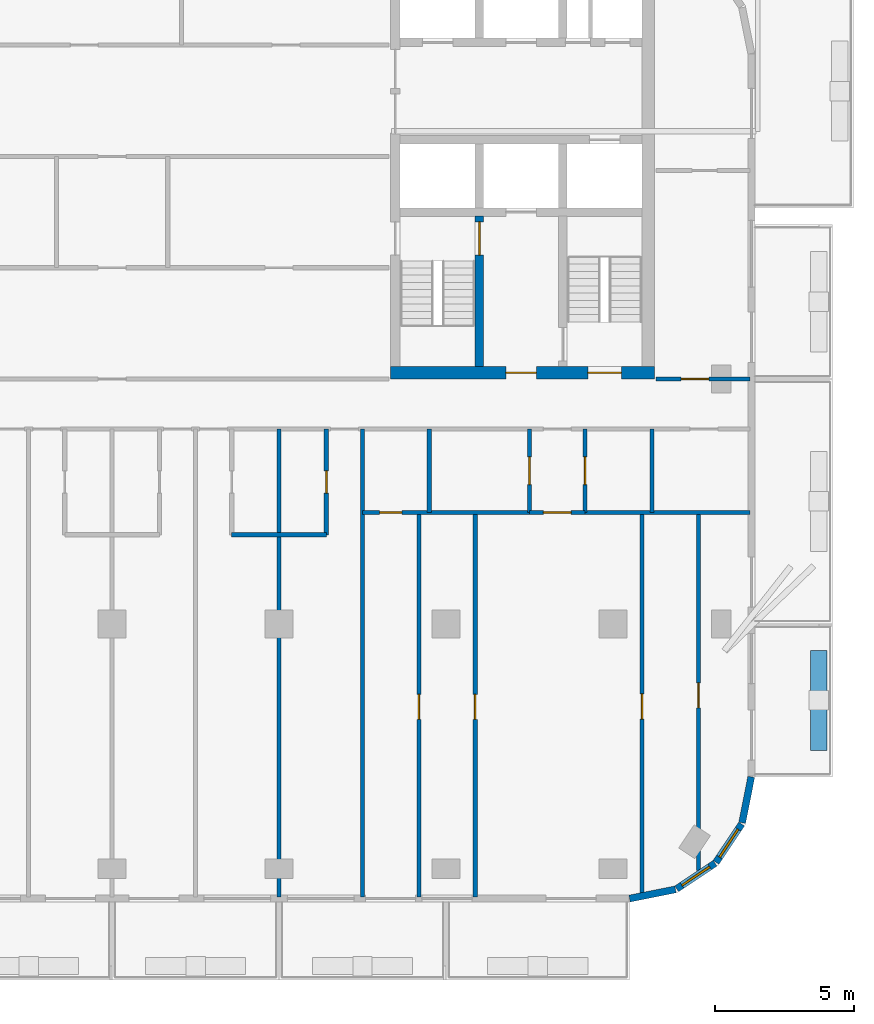
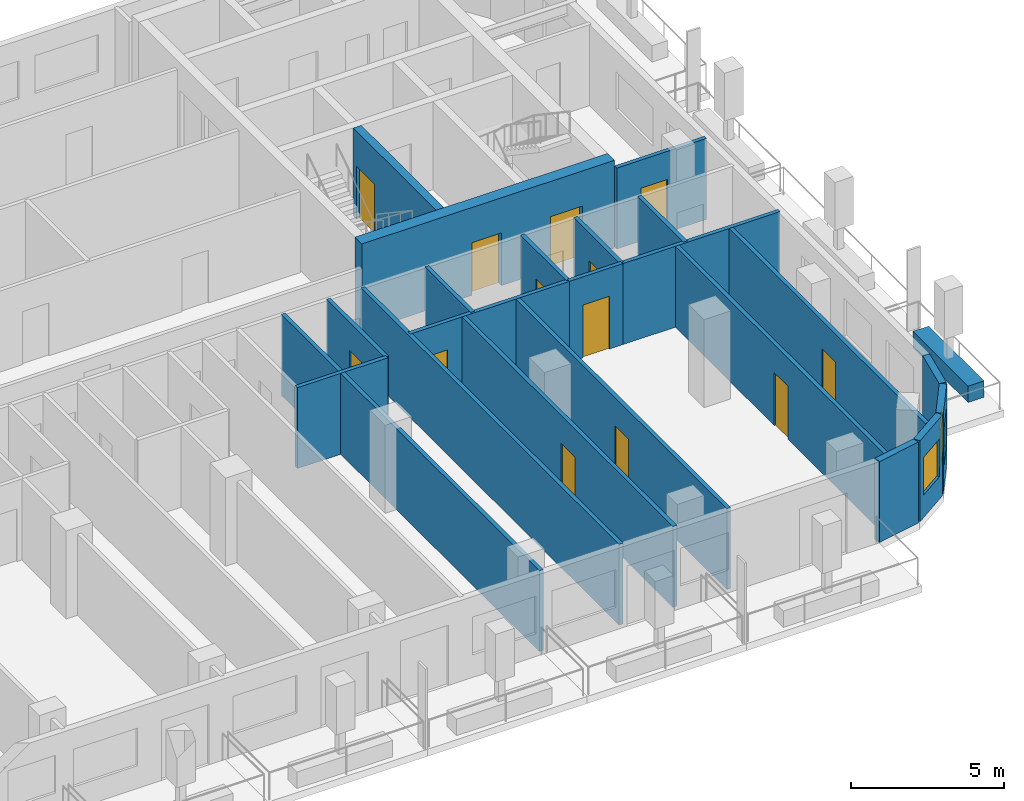
# One storey, part 5 of 11: 23 walls, 13 doors, 2 windows, 15 openings.
"""IFC4 building model written with IfcOpenShell, lengths in metres."""

from ifc_helpers import new_model, si_unit, direction, frame, frame_2d, origin, place, context, subcontext, project, spatial, rectangle, extrude, material, layer, layer_set, type_object, element, fill, save


model = new_model("IFC4")

# Units and contexts
model_context = context("Model", 3, precision=1e-05, world=origin(), true_north=direction((0.0, 1.0)))
body_context = subcontext(model_context, "Body", "Model", "MODEL_VIEW")
ifc_project = project(units=[si_unit("LENGTHUNIT", "METRE"), si_unit("AREAUNIT", "SQUARE_METRE"), si_unit("VOLUMEUNIT", "CUBIC_METRE"), si_unit("PLANEANGLEUNIT", "RADIAN"), si_unit("MASSUNIT", "GRAM", prefix="KILO")], contexts=[model_context])

# Site, building, storey
site_placement = place(None, origin())
site = spatial("IfcSite", under=ifc_project, at=site_placement, CompositionType="ELEMENT")
building_placement = place(site_placement, origin())
building = spatial("IfcBuilding", under=site, at=building_placement, Name="Torana Hotel and Residences", CompositionType="ELEMENT")
storey_placement = place(building_placement, frame((0.0, 0.0, 252.60009765625)))
storey = spatial("IfcBuildingStorey", under=building, at=storey_placement, Name="L66", CompositionType="ELEMENT", Elevation=252.60009765625)

# Wall, opening, door
ifc_material_1 = material(Name="Concrete C60/75", Category="concrete")
ifc_layer_1 = layer(ifc_material_1, 0.300048828125)
ifc_layer_set_1 = layer_set([ifc_layer_1], Name="CORE WALL 300 C60/75")
wall_type_1 = type_object("IfcWallType", Name="CORE WALL 300 C60/75", PredefinedType="SHEAR", material=ifc_layer_set_1)
wall_1_placement = place(storey_placement, frame((13.199951171875, -14.550048828125, 0.0), z_axis=(0.0, 0.0, 1.0), x_axis=(0.0, 1.0, 0.0)))
wall_1 = element("IfcWall", 1, at=wall_1_placement, inside=storey, type_object=wall_type_1, Name="Core wall E x3.05-band", PredefinedType="SHEAR", context=body_context, shape_type="SweptSolid", body=[
    extrude(rectangle(XDim=5.400146484375, YDim=0.300048828125, at=frame_2d((2.7001953125, 0.0))), origin(), (0.0, 0.0, 1.0), 3.5),
])
opening_1_placement = place(wall_1_placement, frame((4.0, 0.0, 0.0)))
opening_1 = element("IfcOpeningElement", 2, at=opening_1_placement, cuts=wall_1, Name="Opening L66-17", PredefinedType="OPENING", context=body_context, shape_type="SweptSolid", body=[
    extrude(rectangle(XDim=1.199951171875, YDim=2.10009765625, at=frame_2d((0.60009765625, 1.050048828125))), frame((0.0, 0.159912109375, 0.0), z_axis=(0.0, -1.0, 0.0), x_axis=(1.0, 0.0, 0.0)), (0.0, 0.0, 1.0), 0.320068359375),
])
ifc_material_2 = material(Name="Steel S235", Category="steel")
door_type_1 = type_object("IfcDoorType", Name="STAIR FIRE DOOR D3 1200x2100", OperationType="SINGLE_SWING_LEFT", PredefinedType="DOOR", material=ifc_material_2)
door_1_placement = place(opening_1_placement, origin())
door_1 = element("IfcDoor", 3, at=door_1_placement, inside=storey, type_object=door_type_1, Name="Stair-A-lobby door L66", OperationType="SINGLE_SWING_LEFT", OverallHeight=2.10009765625, OverallWidth=1.199951171875, PredefinedType="DOOR", context=body_context, shape_type="SweptSolid", body=[
    extrude(rectangle(XDim=1.199951171875, YDim=2.10009765625, at=frame_2d((0.60009765625, 1.050048828125))), frame((0.0, 0.02490234375, 0.0), z_axis=(0.0, -1.0, 0.0), x_axis=(1.0, 0.0, 0.0)), (0.0, 0.0, 1.0), 0.050048828125),
])
fill(opening_1, door_1)

# Wall, openings, doors
ifc_material_3 = material(Name="Concrete C60/75", Category="concrete")
ifc_layer_2 = layer(ifc_material_3, 0.449951171875)
ifc_layer_set_2 = layer_set([ifc_layer_2], Name="CORE WALL 450 C60/75")
wall_type_2 = type_object("IfcWallType", Name="CORE WALL 450 C60/75", PredefinedType="SHEAR", material=ifc_layer_set_2)
wall_2_placement = place(storey_placement, frame((10.0, -14.77490234375, 0.0), z_axis=(0.0, 0.0, 1.0), x_axis=(1.0, 0.0, 0.0)))
wall_2 = element("IfcWall", 4, at=wall_2_placement, inside=storey, type_object=wall_type_2, Name="Core wall E front", PredefinedType="SHEAR", context=body_context, shape_type="SweptSolid", body=[
    extrude(rectangle(XDim=9.5, YDim=0.449951171875, at=frame_2d((4.75, 0.0))), origin(), (0.0, 0.0, 1.0), 3.5),
])
opening_2_placement = place(wall_2_placement, frame((7.10009765625, 0.0, 0.0)))
opening_2 = element("IfcOpeningElement", 5, at=opening_2_placement, cuts=wall_2, Name="Opening L66-13", PredefinedType="OPENING", context=body_context, shape_type="SweptSolid", body=[
    extrude(rectangle(XDim=1.199951171875, YDim=2.10009765625, at=frame_2d((0.60009765625, 1.050048828125))), frame((0.0, 0.23486328125, 0.0), z_axis=(0.0, -1.0, 0.0), x_axis=(1.0, 0.0, 0.0)), (0.0, 0.0, 1.0), 0.469970703125),
])
opening_3_placement = place(wall_2_placement, frame((4.14990234375, 0.0, 0.0)))
opening_3 = element("IfcOpeningElement", 6, at=opening_3_placement, cuts=wall_2, Name="Opening L66-14", PredefinedType="OPENING", context=body_context, shape_type="SweptSolid", body=[
    extrude(rectangle(XDim=1.10009765625, YDim=2.10009765625, at=frame_2d((0.550048828125, 1.050048828125))), frame((0.0, 0.23486328125, 0.0), z_axis=(0.0, -1.0, 0.0), x_axis=(1.0, 0.0, 0.0)), (0.0, 0.0, 1.0), 0.469970703125),
])
ifc_material_4 = material(Name="Steel S235", Category="steel")
door_type_2 = type_object("IfcDoorType", Name="FIRE-FIGHTING LOBBY DOOR D8 1100x2100", OperationType="SINGLE_SWING_LEFT", PredefinedType="DOOR", material=ifc_material_4)
door_2_placement = place(opening_3_placement, origin())
door_2 = element("IfcDoor", 7, at=door_2_placement, inside=storey, type_object=door_type_2, Name="FF-lobby door L66", OperationType="SINGLE_SWING_RIGHT", OverallHeight=2.10009765625, OverallWidth=1.10009765625, PredefinedType="DOOR", context=body_context, shape_type="SweptSolid", body=[
    extrude(rectangle(XDim=1.10009765625, YDim=2.10009765625, at=frame_2d((0.550048828125, 1.050048828125))), frame((0.0, 0.02490234375, 0.0), z_axis=(0.0, -1.0, 0.0), x_axis=(1.0, 0.0, 0.0)), (0.0, 0.0, 1.0), 0.050048828125),
])
fill(opening_3, door_2)
door_3_placement = place(opening_2_placement, origin())
door_3 = element("IfcDoor", 8, at=door_3_placement, inside=storey, type_object=door_type_1, Name="Stair-B door L66", OperationType="SINGLE_SWING_RIGHT", OverallHeight=2.10009765625, OverallWidth=1.199951171875, PredefinedType="DOOR", context=body_context, shape_type="SweptSolid", body=[
    extrude(rectangle(XDim=1.199951171875, YDim=2.10009765625, at=frame_2d((0.60009765625, 1.050048828125))), frame((0.0, 0.02490234375, 0.0), z_axis=(0.0, -1.0, 0.0), x_axis=(1.0, 0.0, 0.0)), (0.0, 0.0, 1.0), 0.050048828125),
])
fill(opening_2, door_3)

# Wall
ifc_material_5 = material(Name="Black aluminium composite panel", Category="aluminium")
ifc_layer_3 = layer(ifc_material_5, 0.00390625, Name="Cladding", Category="cladding")
ifc_material_6 = material(Name="Ventilated air cavity")
ifc_layer_4 = layer(ifc_material_6, 0.0400390625, Name="Ventilated cavity", Category="cavity")
ifc_material_7 = material(Name="Mineral wool insulation")
ifc_layer_5 = layer(ifc_material_7, 0.090087890625, Name="Insulation", Category="insulation")
ifc_material_8 = material(Name="Steel S280GD", Category="steel")
ifc_layer_6 = layer(ifc_material_8, 0.092041015625, Name="Steel stud frame", Category="structure")
ifc_material_9 = material(Name="Fire rated plasterboard")
ifc_layer_7 = layer(ifc_material_9, 0.011962890625, Name="Inner board", Category="finish")
ifc_layer_8 = layer(ifc_material_9, 0.011962890625, Name="Second board", Category="finish")
ifc_layer_set_3 = layer_set([ifc_layer_3, ifc_layer_4, ifc_layer_5, ifc_layer_6, ifc_layer_7, ifc_layer_8], Name="EW1 EXTERNAL WALL BLACK METAL CLAD 250")
wall_type_3 = type_object("IfcWallType", Name="EW1 EXTERNAL WALL BLACK METAL CLAD 250", PredefinedType="SOLIDWALL", material=ifc_layer_set_3)
wall_3_placement = place(storey_placement, frame((18.599853515625, -33.672607421875, 0.0), z_axis=(0.0, 0.0, 1.0), x_axis=(0.980770110232, 0.195166572128, 0.0)))
element("IfcWall", 9, at=wall_3_placement, inside=storey, type_object=wall_type_3, Name="External wall L66 e0.15", PredefinedType="SOLIDWALL", context=body_context, shape_type="SweptSolid", body=[
    extrude(rectangle(XDim=1.68115234375, YDim=0.25, at=frame_2d((0.840576171875, 0.0))), origin(), (0.0, 0.0, 1.0), 3.219970703125),
])

# Wall, opening, window
wall_4_placement = place(storey_placement, frame((20.2939453125, -33.325927734375, 0.0), z_axis=(0.0, 0.0, 1.0), x_axis=(0.831482937015, 0.55555029066, 0.0)))
wall_4 = element("IfcWall", 10, at=wall_4_placement, inside=storey, type_object=wall_type_3, Name="External wall L66 e0.16", PredefinedType="SOLIDWALL", context=body_context, shape_type="SweptSolid", body=[
    extrude(rectangle(XDim=1.65625, YDim=0.25, at=frame_2d((0.828125, 0.0))), origin(), (0.0, 0.0, 1.0), 3.219970703125),
])
opening_4_placement = place(wall_4_placement, frame((0.228271484375, 0.0, 0.89990234375)))
opening_4 = element("IfcOpeningElement", 11, at=opening_4_placement, cuts=wall_4, Name="Opening W5", PredefinedType="OPENING", context=body_context, shape_type="SweptSolid", body=[
    extrude(rectangle(XDim=1.199951171875, YDim=1.5, at=frame_2d((0.60009765625, 0.75))), frame((0.0, 0.135009765625, 0.0), z_axis=(0.0, -1.0, 0.0), x_axis=(1.0, 0.0, 0.0)), (0.0, 0.0, 1.0), 0.27001953125),
])
ifc_material_10 = material(Name="Dark glass in black aluminium frame", Category="aluminium")
window_type = type_object("IfcWindowType", Name="W5 CORNER FACET WINDOW 1200x1500", PartitioningType="SINGLE_PANEL", PredefinedType="WINDOW", material=ifc_material_10)
window_1_placement = place(opening_4_placement, origin())
window_1 = element("IfcWindow", 12, at=window_1_placement, inside=storey, type_object=window_type, Name="Window L66 e0.16", OverallHeight=1.5, OverallWidth=1.199951171875, PartitioningType="SINGLE_PANEL", PredefinedType="WINDOW", context=body_context, shape_type="SweptSolid", body=[
    extrude(rectangle(XDim=1.199951171875, YDim=1.5, at=frame_2d((0.60009765625, 0.75))), frame((0.0, 0.030029296875, 0.0), z_axis=(0.0, -1.0, 0.0), x_axis=(1.0, 0.0, 0.0)), (0.0, 0.0, 1.0), 0.06005859375),
])
fill(opening_4, window_1)

wall_5_placement = place(storey_placement, frame((21.705810546875, -32.37109375, 0.0), z_axis=(0.0, 0.0, 1.0), x_axis=(0.55555029066, 0.831482937015, 0.0)))
wall_5 = element("IfcWall", 13, at=wall_5_placement, inside=storey, type_object=wall_type_3, Name="External wall L66 e0.17", PredefinedType="SOLIDWALL", context=body_context, shape_type="SweptSolid", body=[
    extrude(rectangle(XDim=1.65625, YDim=0.25, at=frame_2d((0.828125, 0.0))), origin(), (0.0, 0.0, 1.0), 3.219970703125),
])
opening_5_placement = place(wall_5_placement, frame((0.228271484375, 0.0, 0.89990234375)))
opening_5 = element("IfcOpeningElement", 14, at=opening_5_placement, cuts=wall_5, Name="Opening W5", PredefinedType="OPENING", context=body_context, shape_type="SweptSolid", body=[
    extrude(rectangle(XDim=1.199951171875, YDim=1.5, at=frame_2d((0.60009765625, 0.75))), frame((0.0, 0.135009765625, 0.0), z_axis=(0.0, -1.0, 0.0), x_axis=(1.0, 0.0, 0.0)), (0.0, 0.0, 1.0), 0.27001953125),
])
window_2_placement = place(opening_5_placement, origin())
window_2 = element("IfcWindow", 15, at=window_2_placement, inside=storey, type_object=window_type, Name="Window L66 e0.17", OverallHeight=1.5, OverallWidth=1.199951171875, PartitioningType="SINGLE_PANEL", PredefinedType="WINDOW", context=body_context, shape_type="SweptSolid", body=[
    extrude(rectangle(XDim=1.199951171875, YDim=1.5, at=frame_2d((0.60009765625, 0.75))), frame((0.0, 0.030029296875, 0.0), z_axis=(0.0, -1.0, 0.0), x_axis=(1.0, 0.0, 0.0)), (0.0, 0.0, 1.0), 0.06005859375),
])
fill(opening_5, window_2)

# Wall
wall_6_placement = place(storey_placement, frame((22.64453125, -30.948974609375, 0.0), z_axis=(0.0, 0.0, 1.0), x_axis=(0.19513878023, 0.980775640221, 0.0)))
element("IfcWall", 16, at=wall_6_placement, inside=storey, type_object=wall_type_3, Name="External wall L66 e0.18", PredefinedType="SOLIDWALL", context=body_context, shape_type="SweptSolid", body=[
    extrude(rectangle(XDim=1.681396484375, YDim=0.25, at=frame_2d((0.8408203125, 0.0))), origin(), (0.0, 0.0, 1.0), 3.219970703125),
])

# Wall, opening, door
ifc_material_11 = material(Name="Gypsum plaster")
ifc_layer_9 = layer(ifc_material_11, 0.014892578125, Name="Plaster", Category="finish")
ifc_material_12 = material(Name="Concrete blockwork", Category="masonry")
ifc_layer_10 = layer(ifc_material_12, 0.1201171875, Name="Blockwork", Category="structure")
ifc_layer_11 = layer(ifc_material_11, 0.014892578125, Name="Plaster", Category="finish")
ifc_layer_set_4 = layer_set([ifc_layer_9, ifc_layer_10, ifc_layer_11], Name="FIRE PARTITION 150 BLOCKWORK")
wall_type_4 = type_object("IfcWallType", Name="FIRE PARTITION 150 BLOCKWORK", PredefinedType="PARTITIONING", material=ifc_layer_set_4)
wall_7_placement = place(storey_placement, frame((17.0, -19.800048828125, 0.0), z_axis=(0.0, 0.0, 1.0), x_axis=(0.0, 1.0, 0.0)))
wall_7 = element("IfcWall", 17, at=wall_7_placement, inside=storey, type_object=wall_type_4, Name="Partition L66", PredefinedType="PARTITIONING", context=body_context, shape_type="SweptSolid", body=[
    extrude(rectangle(XDim=3.0, YDim=0.14990234375, at=frame_2d((1.5, 0.0))), origin(), (0.0, 0.0, 1.0), 3.219970703125),
])
opening_6_placement = place(wall_7_placement, frame((1.0, 0.0, 0.0)))
opening_6 = element("IfcOpeningElement", 18, at=opening_6_placement, cuts=wall_7, Name="Opening L66-55", PredefinedType="OPENING", context=body_context, shape_type="SweptSolid", body=[
    extrude(rectangle(XDim=1.0, YDim=2.10009765625, at=frame_2d((0.5, 1.050048828125))), frame((0.0, 0.0849609375, 0.0), z_axis=(0.0, -1.0, 0.0), x_axis=(1.0, 0.0, 0.0)), (0.0, 0.0, 1.0), 0.169921875),
])
ifc_material_13 = material(Name="Steel S235", Category="steel")
door_type_3 = type_object("IfcDoorType", Name="ENTRY FIRE DOOR D6 1000x2100", OperationType="SINGLE_SWING_LEFT", PredefinedType="DOOR", material=ifc_material_13)
door_4_placement = place(opening_6_placement, frame((0.5, 0.0, 0.0), z_axis=(0.0, 0.0, 1.0), x_axis=(-1.0, 0.0, 0.0)))
door_4 = element("IfcDoor", 19, at=door_4_placement, inside=storey, type_object=door_type_3, Name="Door L66", OperationType="SINGLE_SWING_LEFT", OverallHeight=2.10009765625, OverallWidth=1.0, PredefinedType="DOOR", context=body_context, shape_type="SweptSolid", body=[
    extrude(rectangle(XDim=1.0, YDim=2.10009765625, at=frame_2d((0.0, 1.050048828125))), frame((0.0, -0.02490234375, 0.0), z_axis=(0.0, 1.0, 0.0), x_axis=(-1.0, 0.0, 0.0)), (0.0, 0.0, 1.0), 0.050048828125),
])
fill(opening_6, door_4)

wall_8_placement = place(storey_placement, frame((15.0, -19.800048828125, 0.0), z_axis=(0.0, 0.0, 1.0), x_axis=(0.0, 1.0, 0.0)))
wall_8 = element("IfcWall", 20, at=wall_8_placement, inside=storey, type_object=wall_type_4, Name="Partition L66", PredefinedType="PARTITIONING", context=body_context, shape_type="SweptSolid", body=[
    extrude(rectangle(XDim=3.0, YDim=0.14990234375, at=frame_2d((1.5, 0.0))), origin(), (0.0, 0.0, 1.0), 3.219970703125),
])
opening_7_placement = place(wall_8_placement, frame((1.0, 0.0, 0.0)))
opening_7 = element("IfcOpeningElement", 21, at=opening_7_placement, cuts=wall_8, Name="Opening L66-54", PredefinedType="OPENING", context=body_context, shape_type="SweptSolid", body=[
    extrude(rectangle(XDim=1.0, YDim=2.10009765625, at=frame_2d((0.5, 1.050048828125))), frame((0.0, 0.0849609375, 0.0), z_axis=(0.0, -1.0, 0.0), x_axis=(1.0, 0.0, 0.0)), (0.0, 0.0, 1.0), 0.169921875),
])
door_5_placement = place(opening_7_placement, origin())
door_5 = element("IfcDoor", 22, at=door_5_placement, inside=storey, type_object=door_type_3, Name="Door L66", OperationType="SINGLE_SWING_RIGHT", OverallHeight=2.10009765625, OverallWidth=1.0, PredefinedType="DOOR", context=body_context, shape_type="SweptSolid", body=[
    extrude(rectangle(XDim=1.0, YDim=2.10009765625, at=frame_2d((0.5, 1.050048828125))), frame((0.0, 0.02490234375, 0.0), z_axis=(0.0, -1.0, 0.0), x_axis=(1.0, 0.0, 0.0)), (0.0, 0.0, 1.0), 0.050048828125),
])
fill(opening_7, door_5)

wall_9_placement = place(storey_placement, frame((15.0, -19.800048828125, 0.0), z_axis=(0.0, 0.0, 1.0), x_axis=(1.0, 0.0, 0.0)))
wall_9 = element("IfcWall", 23, at=wall_9_placement, inside=storey, type_object=wall_type_4, Name="Partition L66", PredefinedType="PARTITIONING", context=body_context, shape_type="SweptSolid", body=[
    extrude(rectangle(XDim=2.0, YDim=0.14990234375, at=frame_2d((1.0, 0.0))), origin(), (0.0, 0.0, 1.0), 3.219970703125),
])
opening_8_placement = place(wall_9_placement, frame((0.5, 0.0, 0.0)))
opening_8 = element("IfcOpeningElement", 24, at=opening_8_placement, cuts=wall_9, Name="Opening L66-56", PredefinedType="OPENING", context=body_context, shape_type="SweptSolid", body=[
    extrude(rectangle(XDim=1.0, YDim=2.10009765625, at=frame_2d((0.5, 1.050048828125))), frame((0.0, 0.0849609375, 0.0), z_axis=(0.0, -1.0, 0.0), x_axis=(1.0, 0.0, 0.0)), (0.0, 0.0, 1.0), 0.169921875),
])
door_6_placement = place(opening_8_placement, frame((0.5, 0.0, 0.0), z_axis=(0.0, 0.0, 1.0), x_axis=(-1.0, 0.0, 0.0)))
door_6 = element("IfcDoor", 25, at=door_6_placement, inside=storey, type_object=door_type_3, Name="Door L66", OperationType="SINGLE_SWING_LEFT", OverallHeight=2.10009765625, OverallWidth=1.0, PredefinedType="DOOR", context=body_context, shape_type="SweptSolid", body=[
    extrude(rectangle(XDim=1.0, YDim=2.10009765625, at=frame_2d((0.0, 1.050048828125))), frame((0.0, -0.02490234375, 0.0), z_axis=(0.0, 1.0, 0.0), x_axis=(-1.0, 0.0, 0.0)), (0.0, 0.0, 1.0), 0.050048828125),
])
fill(opening_8, door_6)

wall_10_placement = place(storey_placement, frame((19.550048828125, -15.0, 0.0), z_axis=(0.0, 0.0, 1.0), x_axis=(1.0, 0.0, 0.0)))
wall_10 = element("IfcWall", 26, at=wall_10_placement, inside=storey, type_object=wall_type_4, Name="Partition L66", PredefinedType="PARTITIONING", context=body_context, shape_type="SweptSolid", body=[
    extrude(rectangle(XDim=3.369873046875, YDim=0.14990234375, at=frame_2d((1.68505859375, 0.0))), origin(), (0.0, 0.0, 1.0), 3.219970703125),
])
opening_9_placement = place(wall_10_placement, frame((0.89990234375, 0.0, 0.0)))
opening_9 = element("IfcOpeningElement", 27, at=opening_9_placement, cuts=wall_10, Name="Opening L66-30", PredefinedType="OPENING", context=body_context, shape_type="SweptSolid", body=[
    extrude(rectangle(XDim=1.0, YDim=2.10009765625, at=frame_2d((0.5, 1.050048828125))), frame((0.0, 0.0849609375, 0.0), z_axis=(0.0, -1.0, 0.0), x_axis=(1.0, 0.0, 0.0)), (0.0, 0.0, 1.0), 0.169921875),
])
ifc_material_14 = material(Name="Steel S235", Category="steel")
door_type_4 = type_object("IfcDoorType", Name="CORE ROOM FIRE DOOR D14 1000x2100", OperationType="SINGLE_SWING_LEFT", PredefinedType="DOOR", material=ifc_material_14)
door_7_placement = place(opening_9_placement, origin())
door_7 = element("IfcDoor", 28, at=door_7_placement, inside=storey, type_object=door_type_4, Name="Door L66", OperationType="SINGLE_SWING_LEFT", OverallHeight=2.10009765625, OverallWidth=1.0, PredefinedType="DOOR", context=body_context, shape_type="SweptSolid", body=[
    extrude(rectangle(XDim=1.0, YDim=2.10009765625, at=frame_2d((0.5, 1.050048828125))), frame((0.0, 0.02490234375, 0.0), z_axis=(0.0, -1.0, 0.0), x_axis=(1.0, 0.0, 0.0)), (0.0, 0.0, 1.0), 0.050048828125),
])
fill(opening_9, door_7)

ifc_material_15 = material(Name="Gypsum plasterboard")
ifc_layer_12 = layer(ifc_material_15, 0.012451171875, Name="Plasterboard", Category="finish")
ifc_layer_13 = layer(ifc_material_15, 0.012451171875, Name="Plasterboard", Category="finish")
ifc_layer_14 = layer(ifc_material_8, 0.10009765625, Name="Steel studs with mineral wool", Category="insulation")
ifc_layer_15 = layer(ifc_material_15, 0.012451171875, Name="Plasterboard", Category="finish")
ifc_layer_16 = layer(ifc_material_15, 0.012451171875, Name="Plasterboard", Category="finish")
ifc_layer_set_5 = layer_set([ifc_layer_12, ifc_layer_13, ifc_layer_14, ifc_layer_15, ifc_layer_16], Name="PARTITION 150 PLASTERBOARD")
wall_type_5 = type_object("IfcWallType", Name="PARTITION 150 PLASTERBOARD", PredefinedType="PARTITIONING", material=ifc_layer_set_5)
wall_11_placement = place(storey_placement, frame((21.074951171875, -32.665771484375, 0.0), z_axis=(0.0, 0.0, 1.0), x_axis=(0.0, 1.0, 0.0)))
wall_11 = element("IfcWall", 29, at=wall_11_placement, inside=storey, type_object=wall_type_5, Name="Partition L66", PredefinedType="PARTITIONING", context=body_context, shape_type="SweptSolid", body=[
    extrude(rectangle(XDim=12.86572265625, YDim=0.14990234375, at=frame_2d((6.432861328125, 0.0))), origin(), (0.0, 0.0, 1.0), 3.219970703125),
])
opening_10_placement = place(wall_11_placement, frame((5.845703125, 0.0, 0.0)))
opening_10 = element("IfcOpeningElement", 30, at=opening_10_placement, cuts=wall_11, Name="Opening L66-60", PredefinedType="OPENING", context=body_context, shape_type="SweptSolid", body=[
    extrude(rectangle(XDim=0.89990234375, YDim=2.10009765625, at=frame_2d((0.449951171875, 1.050048828125))), frame((0.0, 0.0849609375, 0.0), z_axis=(0.0, -1.0, 0.0), x_axis=(1.0, 0.0, 0.0)), (0.0, 0.0, 1.0), 0.169921875),
])
ifc_material_16 = material(Name="Timber door, oiled ash", Category="wood")
door_type_5 = type_object("IfcDoorType", Name="ROOM DOOR D7 900x2100", OperationType="SINGLE_SWING_LEFT", PredefinedType="DOOR", material=ifc_material_16)
door_8_placement = place(opening_10_placement, origin())
door_8 = element("IfcDoor", 31, at=door_8_placement, inside=storey, type_object=door_type_5, Name="Door L66", OperationType="SINGLE_SWING_RIGHT", OverallHeight=2.10009765625, OverallWidth=0.89990234375, PredefinedType="DOOR", context=body_context, shape_type="SweptSolid", body=[
    extrude(rectangle(XDim=0.89990234375, YDim=2.10009765625, at=frame_2d((0.449951171875, 1.050048828125))), frame((0.0, 0.02490234375, 0.0), z_axis=(0.0, -1.0, 0.0), x_axis=(1.0, 0.0, 0.0)), (0.0, 0.0, 1.0), 0.050048828125),
])
fill(opening_10, door_8)

# Wall
wall_12_placement = place(storey_placement, frame((19.39990234375, -19.800048828125, 0.0), z_axis=(0.0, 0.0, 1.0), x_axis=(0.0, 1.0, 0.0)))
element("IfcWall", 32, at=wall_12_placement, inside=storey, type_object=wall_type_5, Name="Partition L66", PredefinedType="PARTITIONING", context=body_context, shape_type="SweptSolid", body=[
    extrude(rectangle(XDim=3.0, YDim=0.14990234375, at=frame_2d((1.5, 0.0))), origin(), (0.0, 0.0, 1.0), 3.219970703125),
])

# Wall, opening, door
wall_13_placement = place(storey_placement, frame((19.050048828125, -33.527099609375, 0.0), z_axis=(0.0, 0.0, 1.0), x_axis=(0.0, 1.0, 0.0)))
wall_13 = element("IfcWall", 33, at=wall_13_placement, inside=storey, type_object=wall_type_5, Name="Partition L66", PredefinedType="PARTITIONING", context=body_context, shape_type="SweptSolid", body=[
    extrude(rectangle(XDim=13.72705078125, YDim=0.14990234375, at=frame_2d((6.863525390625, 0.0))), origin(), (0.0, 0.0, 1.0), 3.219970703125),
])
opening_11_placement = place(wall_13_placement, frame((6.306884765625, 0.0, 0.0)))
opening_11 = element("IfcOpeningElement", 34, at=opening_11_placement, cuts=wall_13, Name="Opening L66-58", PredefinedType="OPENING", context=body_context, shape_type="SweptSolid", body=[
    extrude(rectangle(XDim=0.89990234375, YDim=2.10009765625, at=frame_2d((0.449951171875, 1.050048828125))), frame((0.0, 0.0849609375, 0.0), z_axis=(0.0, -1.0, 0.0), x_axis=(1.0, 0.0, 0.0)), (0.0, 0.0, 1.0), 0.169921875),
])
door_9_placement = place(opening_11_placement, origin())
door_9 = element("IfcDoor", 35, at=door_9_placement, inside=storey, type_object=door_type_5, Name="Door L66", OperationType="SINGLE_SWING_RIGHT", OverallHeight=2.10009765625, OverallWidth=0.89990234375, PredefinedType="DOOR", context=body_context, shape_type="SweptSolid", body=[
    extrude(rectangle(XDim=0.89990234375, YDim=2.10009765625, at=frame_2d((0.449951171875, 1.050048828125))), frame((0.0, 0.02490234375, 0.0), z_axis=(0.0, -1.0, 0.0), x_axis=(1.0, 0.0, 0.0)), (0.0, 0.0, 1.0), 0.050048828125),
])
fill(opening_11, door_9)

wall_14_placement = place(storey_placement, frame((13.050048828125, -33.6201171875, 0.0), z_axis=(0.0, 0.0, 1.0), x_axis=(0.0, 1.0, 0.0)))
wall_14 = element("IfcWall", 36, at=wall_14_placement, inside=storey, type_object=wall_type_5, Name="Partition L66", PredefinedType="PARTITIONING", context=body_context, shape_type="SweptSolid", body=[
    extrude(rectangle(XDim=13.820068359375, YDim=0.14990234375, at=frame_2d((6.91015625, 0.0))), origin(), (0.0, 0.0, 1.0), 3.219970703125),
])
opening_12_placement = place(wall_14_placement, frame((6.389892578125, 0.0, 0.0)))
opening_12 = element("IfcOpeningElement", 37, at=opening_12_placement, cuts=wall_14, Name="Opening L66-57", PredefinedType="OPENING", context=body_context, shape_type="SweptSolid", body=[
    extrude(rectangle(XDim=0.89990234375, YDim=2.10009765625, at=frame_2d((0.449951171875, 1.050048828125))), frame((0.0, 0.0849609375, 0.0), z_axis=(0.0, -1.0, 0.0), x_axis=(1.0, 0.0, 0.0)), (0.0, 0.0, 1.0), 0.169921875),
])
door_10_placement = place(opening_12_placement, origin())
door_10 = element("IfcDoor", 38, at=door_10_placement, inside=storey, type_object=door_type_5, Name="Door L66", OperationType="SINGLE_SWING_RIGHT", OverallHeight=2.10009765625, OverallWidth=0.89990234375, PredefinedType="DOOR", context=body_context, shape_type="SweptSolid", body=[
    extrude(rectangle(XDim=0.89990234375, YDim=2.10009765625, at=frame_2d((0.449951171875, 1.050048828125))), frame((0.0, 0.02490234375, 0.0), z_axis=(0.0, -1.0, 0.0), x_axis=(1.0, 0.0, 0.0)), (0.0, 0.0, 1.0), 0.050048828125),
])
fill(opening_12, door_10)

# Wall
wall_15_placement = place(storey_placement, frame((11.39990234375, -19.800048828125, 0.0), z_axis=(0.0, 0.0, 1.0), x_axis=(0.0, 1.0, 0.0)))
element("IfcWall", 39, at=wall_15_placement, inside=storey, type_object=wall_type_5, Name="Partition L66", PredefinedType="PARTITIONING", context=body_context, shape_type="SweptSolid", body=[
    extrude(rectangle(XDim=3.0, YDim=0.14990234375, at=frame_2d((1.5, 0.0))), origin(), (0.0, 0.0, 1.0), 3.219970703125),
])

# Wall, opening, door
wall_16_placement = place(storey_placement, frame((11.02490234375, -33.6201171875, 0.0), z_axis=(0.0, 0.0, 1.0), x_axis=(0.0, 1.0, 0.0)))
wall_16 = element("IfcWall", 40, at=wall_16_placement, inside=storey, type_object=wall_type_5, Name="Partition L66", PredefinedType="PARTITIONING", context=body_context, shape_type="SweptSolid", body=[
    extrude(rectangle(XDim=13.820068359375, YDim=0.14990234375, at=frame_2d((6.91015625, 0.0))), origin(), (0.0, 0.0, 1.0), 3.219970703125),
])
opening_13_placement = place(wall_16_placement, frame((6.389892578125, 0.0, 0.0)))
opening_13 = element("IfcOpeningElement", 41, at=opening_13_placement, cuts=wall_16, Name="Opening L66-59", PredefinedType="OPENING", context=body_context, shape_type="SweptSolid", body=[
    extrude(rectangle(XDim=0.89990234375, YDim=2.10009765625, at=frame_2d((0.449951171875, 1.050048828125))), frame((0.0, 0.0849609375, 0.0), z_axis=(0.0, -1.0, 0.0), x_axis=(1.0, 0.0, 0.0)), (0.0, 0.0, 1.0), 0.169921875),
])
door_11_placement = place(opening_13_placement, origin())
door_11 = element("IfcDoor", 42, at=door_11_placement, inside=storey, type_object=door_type_5, Name="Door L66", OperationType="SINGLE_SWING_RIGHT", OverallHeight=2.10009765625, OverallWidth=0.89990234375, PredefinedType="DOOR", context=body_context, shape_type="SweptSolid", body=[
    extrude(rectangle(XDim=0.89990234375, YDim=2.10009765625, at=frame_2d((0.449951171875, 1.050048828125))), frame((0.0, 0.02490234375, 0.0), z_axis=(0.0, -1.0, 0.0), x_axis=(1.0, 0.0, 0.0)), (0.0, 0.0, 1.0), 0.050048828125),
])
fill(opening_13, door_11)

# Wall
wall_17_placement = place(storey_placement, frame((9.0, -33.6201171875, 0.0), z_axis=(0.0, 0.0, 1.0), x_axis=(0.0, 1.0, 0.0)))
element("IfcWall", 43, at=wall_17_placement, inside=storey, type_object=wall_type_5, Name="Partition L66", PredefinedType="PARTITIONING", context=body_context, shape_type="SweptSolid", body=[
    extrude(rectangle(XDim=16.820068359375, YDim=0.14990234375, at=frame_2d((8.41015625, 0.0))), origin(), (0.0, 0.0, 1.0), 3.219970703125),
])

# Wall, opening, door
wall_18_placement = place(storey_placement, frame((7.699951171875, -20.60009765625, 0.0), z_axis=(0.0, 0.0, 1.0), x_axis=(0.0, 1.0, 0.0)))
wall_18 = element("IfcWall", 44, at=wall_18_placement, inside=storey, type_object=wall_type_5, Name="Partition L66", PredefinedType="PARTITIONING", context=body_context, shape_type="SweptSolid", body=[
    extrude(rectangle(XDim=3.800048828125, YDim=0.14990234375, at=frame_2d((1.89990234375, 0.0))), origin(), (0.0, 0.0, 1.0), 3.219970703125),
])
opening_14_placement = place(wall_18_placement, frame((1.5, 0.0, 0.0)))
opening_14 = element("IfcOpeningElement", 45, at=opening_14_placement, cuts=wall_18, Name="Opening L66-46", PredefinedType="OPENING", context=body_context, shape_type="SweptSolid", body=[
    extrude(rectangle(XDim=0.800048828125, YDim=2.10009765625, at=frame_2d((0.39990234375, 1.050048828125))), frame((0.0, 0.0849609375, 0.0), z_axis=(0.0, -1.0, 0.0), x_axis=(1.0, 0.0, 0.0)), (0.0, 0.0, 1.0), 0.169921875),
])
ifc_material_17 = material(Name="Timber door, painted", Category="wood")
door_type_6 = type_object("IfcDoorType", Name="BATH DOOR D13 800x2100", OperationType="SINGLE_SWING_LEFT", PredefinedType="DOOR", material=ifc_material_17)
door_12_placement = place(opening_14_placement, origin())
door_12 = element("IfcDoor", 46, at=door_12_placement, inside=storey, type_object=door_type_6, Name="Door L66", OperationType="SINGLE_SWING_RIGHT", OverallHeight=2.10009765625, OverallWidth=0.800048828125, PredefinedType="DOOR", context=body_context, shape_type="SweptSolid", body=[
    extrude(rectangle(XDim=0.800048828125, YDim=2.10009765625, at=frame_2d((0.39990234375, 1.050048828125))), frame((0.0, 0.02490234375, 0.0), z_axis=(0.0, -1.0, 0.0), x_axis=(1.0, 0.0, 0.0)), (0.0, 0.0, 1.0), 0.050048828125),
])
fill(opening_14, door_12)

# Walls
wall_19_placement = place(storey_placement, frame((6.0, -33.6201171875, 0.0), z_axis=(0.0, 0.0, 1.0), x_axis=(0.0, 1.0, 0.0)))
element("IfcWall", 47, at=wall_19_placement, inside=storey, type_object=wall_type_5, Name="Partition L66", PredefinedType="PARTITIONING", context=body_context, shape_type="SweptSolid", body=[
    extrude(rectangle(XDim=16.820068359375, YDim=0.14990234375, at=frame_2d((8.41015625, 0.0))), origin(), (0.0, 0.0, 1.0), 3.219970703125),
])
wall_20_placement = place(storey_placement, frame((4.300048828125, -20.60009765625, 0.0), z_axis=(0.0, 0.0, 1.0), x_axis=(1.0, 0.0, 0.0)))
element("IfcWall", 48, at=wall_20_placement, inside=storey, type_object=wall_type_5, Name="Partition L66", PredefinedType="PARTITIONING", context=body_context, shape_type="SweptSolid", body=[
    extrude(rectangle(XDim=3.39990234375, YDim=0.14990234375, at=frame_2d((1.699951171875, 0.0))), origin(), (0.0, 0.0, 1.0), 3.219970703125),
])

# Wall, opening, door
wall_21_placement = place(storey_placement, frame((9.0, -19.800048828125, 0.0), z_axis=(0.0, 0.0, 1.0), x_axis=(1.0, 0.0, 0.0)))
wall_21 = element("IfcWall", 49, at=wall_21_placement, inside=storey, type_object=wall_type_5, Name="Partition L66", PredefinedType="PARTITIONING", context=body_context, shape_type="SweptSolid", body=[
    extrude(rectangle(XDim=6.0, YDim=0.14990234375, at=frame_2d((3.0, 0.0))), origin(), (0.0, 0.0, 1.0), 3.219970703125),
])
opening_15_placement = place(wall_21_placement, frame((0.612060546875, 0.0, 0.0)))
opening_15 = element("IfcOpeningElement", 50, at=opening_15_placement, cuts=wall_21, Name="Opening L66-53", PredefinedType="OPENING", context=body_context, shape_type="SweptSolid", body=[
    extrude(rectangle(XDim=0.800048828125, YDim=2.10009765625, at=frame_2d((0.39990234375, 1.050048828125))), frame((0.0, 0.0849609375, 0.0), z_axis=(0.0, -1.0, 0.0), x_axis=(1.0, 0.0, 0.0)), (0.0, 0.0, 1.0), 0.169921875),
])
door_13_placement = place(opening_15_placement, origin())
door_13 = element("IfcDoor", 51, at=door_13_placement, inside=storey, type_object=door_type_6, Name="Door L66", OperationType="SINGLE_SWING_RIGHT", OverallHeight=2.10009765625, OverallWidth=0.800048828125, PredefinedType="DOOR", context=body_context, shape_type="SweptSolid", body=[
    extrude(rectangle(XDim=0.800048828125, YDim=2.10009765625, at=frame_2d((0.39990234375, 1.050048828125))), frame((0.0, 0.02490234375, 0.0), z_axis=(0.0, -1.0, 0.0), x_axis=(1.0, 0.0, 0.0)), (0.0, 0.0, 1.0), 0.050048828125),
])
fill(opening_15, door_13)

# Walls
wall_22_placement = place(storey_placement, frame((17.0, -19.800048828125, 0.0), z_axis=(0.0, 0.0, 1.0), x_axis=(1.0, 0.0, 0.0)))
element("IfcWall", 52, at=wall_22_placement, inside=storey, type_object=wall_type_5, Name="Partition L66", PredefinedType="PARTITIONING", context=body_context, shape_type="SweptSolid", body=[
    extrude(rectangle(XDim=5.919921875, YDim=0.14990234375, at=frame_2d((2.9599609375, 0.0))), origin(), (0.0, 0.0, 1.0), 3.219970703125),
])
ifc_material_18 = material(Name="Concrete C40/50 precast", Category="concrete")
ifc_layer_17 = layer(ifc_material_18, 0.10009765625, Name="Planter shell", Category="structure")
ifc_material_19 = material(Name="Root resistant membrane")
ifc_layer_18 = layer(ifc_material_19, 0.00390625, Name="Waterproofing membrane", Category="membrane")
ifc_material_20 = material(Name="Drainage board with filter fleece")
ifc_layer_19 = layer(ifc_material_20, 0.02001953125, Name="Drainage board", Category="drainage")
ifc_material_21 = material(Name="Growing medium")
ifc_layer_20 = layer(ifc_material_21, 0.47607421875, Name="Planting substrate", Category="soil")
ifc_layer_set_6 = layer_set([ifc_layer_17, ifc_layer_18, ifc_layer_19, ifc_layer_20], Name="PL1 BALCONY PLANTER 600")
wall_type_6 = type_object("IfcWallType", Name="PL1 BALCONY PLANTER 600", PredefinedType="USERDEFINED", material=ifc_layer_set_6)
wall_23_placement = place(storey_placement, frame((25.39990234375, -24.75, 0.0), z_axis=(0.0, 0.0, 1.0), x_axis=(0.0, -1.0, 0.0)))
element("IfcWall", 53, at=wall_23_placement, inside=storey, type_object=wall_type_6, Name="Planter 11", ObjectType="PLANTER", PredefinedType="USERDEFINED", context=body_context, shape_type="SweptSolid", body=[
    extrude(rectangle(XDim=3.60009765625, YDim=0.60009765625, at=frame_2d((1.800048828125, 0.0))), origin(), (0.0, 0.0, 1.0), 0.64990234375),
])

save(model, "model.ifc")
